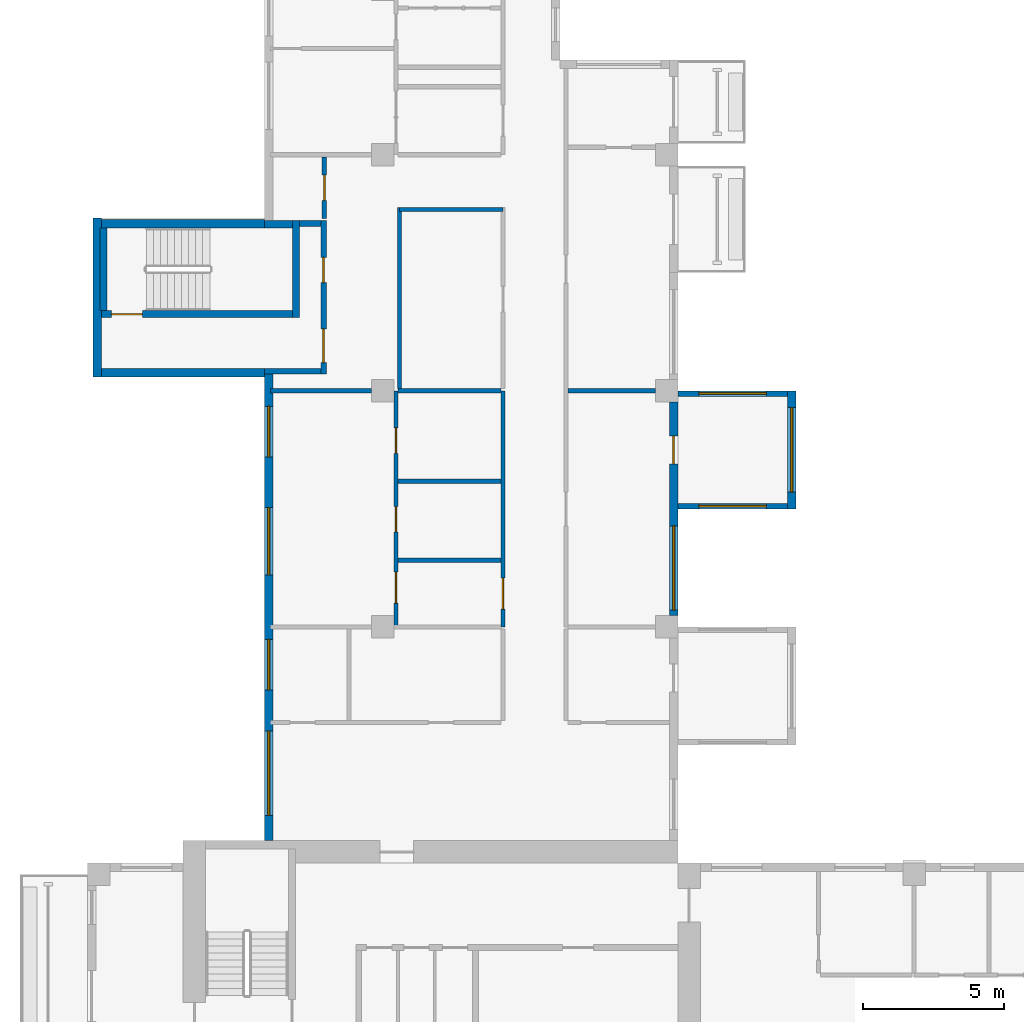
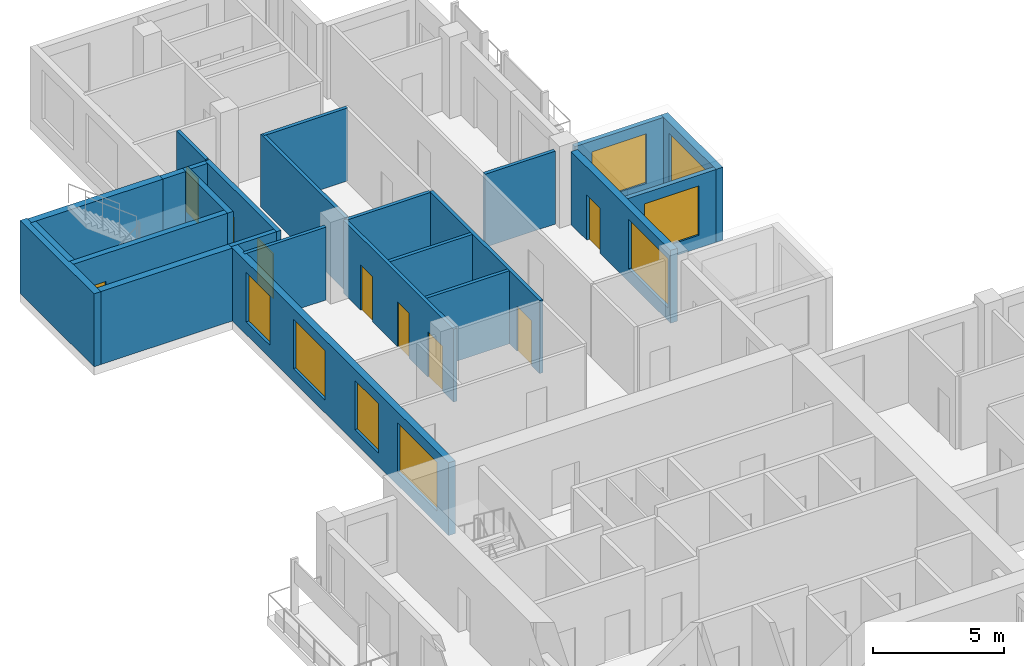
# One storey, part 6 of 11: 25 walls, 9 doors, 8 windows, 17 openings.
"""IFC4 building model written with IfcOpenShell, lengths in metres."""

from ifc_helpers import new_model, si_unit, direction, frame, frame_2d, origin, place, context, subcontext, project, spatial, rectangle, extrude, source, transform, mapped, material, layer, layer_set, type_object, element, fill, save


model = new_model("IFC4")

# Units and contexts
model_context = context("Model", 3, precision=1e-05, world=origin(), true_north=direction((0.0, 1.0)))
body_context = subcontext(model_context, "Body", "Model", "MODEL_VIEW")
ifc_project = project(units=[si_unit("LENGTHUNIT", "METRE"), si_unit("AREAUNIT", "SQUARE_METRE"), si_unit("VOLUMEUNIT", "CUBIC_METRE"), si_unit("PLANEANGLEUNIT", "RADIAN"), si_unit("MASSUNIT", "GRAM", prefix="KILO")], contexts=[model_context])

# Site, building, storey
site_placement = place(None, origin())
site = spatial("IfcSite", under=ifc_project, at=site_placement, CompositionType="ELEMENT")
building_placement = place(site_placement, origin())
building = spatial("IfcBuilding", under=site, at=building_placement, Name="Aurelian Terraces", CompositionType="ELEMENT")
storey_placement = place(building_placement, frame((0.0, 0.0, 261.4)))
storey = spatial("IfcBuildingStorey", under=building, at=storey_placement, Name="L60", CompositionType="ELEMENT", Elevation=261.4)

# Walls
ifc_material_1 = material(Name="Concrete fc' 40 MPa", Category="concrete")
ifc_layer_1 = layer(ifc_material_1, 0.3)
ifc_layer_set_1 = layer_set([ifc_layer_1], Name="STAIR BAY WALL 300")
wall_type_1 = type_object("IfcWallType", Name="STAIR BAY WALL 300", PredefinedType="SOLIDWALL", material=ifc_layer_set_1)
shared_shape_1 = source(origin(), body_context, "Body", "SweptSolid", [
    extrude(rectangle(XDim=6.1, YDim=0.3, at=frame_2d((3.05, 0.0))), origin(), (0.0, 0.0, 1.0), 3.4),
])
for number, where, z_axis, x_axis, name in (
    (1, (6.3, 43.75, 0.0), (0.0, 0.0, 1.0), (-1.0, 0.0, 0.0), "Stair bay wall L60 F17.30"),
    (2, (0.2, 38.45, 0.0), (0.0, 0.0, 1.0), (1.0, 0.0, 0.0), "Stair bay wall L60 F19.32"),
):
    element("IfcWall", number, at=place(storey_placement, frame(where, z_axis=z_axis, x_axis=x_axis)), inside=storey, type_object=wall_type_1, Name=name, PredefinedType="SOLIDWALL", context=body_context, shape_type="MappedRepresentation", body=[
        mapped(shared_shape_1, transform((0.0, 0.0, 0.0), scale=1.0)),
    ])

# Wall, opening, window
ifc_layer_2 = layer(ifc_material_1, 0.2)
ifc_layer_set_2 = layer_set([ifc_layer_2], Name="BOX BEARING WALL 200")
wall_type_2 = type_object("IfcWallType", Name="BOX BEARING WALL 200", PredefinedType="SOLIDWALL", material=ifc_layer_set_2)
shared_shape_2 = source(origin(), body_context, "Body", "SweptSolid", [
    extrude(rectangle(XDim=3.9, YDim=0.2, at=frame_2d((1.95, 0.0))), origin(), (0.0, 0.0, 1.0), 3.4),
])
wall_1_placement = place(storey_placement, frame((21.0, 33.7, 0.0), z_axis=(0.0, 0.0, 1.0), x_axis=(1.0, 0.0, 0.0)))
wall_1 = element("IfcWall", 3, at=wall_1_placement, inside=storey, type_object=wall_type_2, Name="Box return L60 J87.1", PredefinedType="SOLIDWALL", context=body_context, shape_type="MappedRepresentation", body=[
    mapped(shared_shape_2, transform((0.0, 0.0, 0.0), scale=1.0)),
])
shared_shape_3 = source(origin(), body_context, "Body", "SweptSolid", [
    extrude(rectangle(XDim=2.4, YDim=2.3, at=frame_2d((1.2, 1.15))), frame((0.0, 0.11, 0.0), z_axis=(0.0, -1.0, 0.0), x_axis=(1.0, 0.0, 0.0)), (0.0, 0.0, 1.0), 0.22),
])
opening_1_placement = place(wall_1_placement, frame((0.75, 0.0, 0.6)))
opening_1 = element("IfcOpeningElement", 4, at=opening_1_placement, cuts=wall_1, Name="Opening W2423", PredefinedType="OPENING", context=body_context, shape_type="MappedRepresentation", body=[
    mapped(shared_shape_3, transform((0.0, 0.0, 0.0), scale=1.0)),
])
ifc_material_2 = material(Name="Clear glazing", Category="glass")
window_type_1 = type_object("IfcWindowType", Name="W-2400x2300", PartitioningType="SINGLE_PANEL", PredefinedType="WINDOW", material=ifc_material_2)
shared_shape_4 = source(origin(), body_context, "Body", "SweptSolid", [
    extrude(rectangle(XDim=2.4, YDim=2.3, at=frame_2d((1.2, 1.15))), frame((0.0, 0.03, 0.0), z_axis=(0.0, -1.0, 0.0), x_axis=(1.0, 0.0, 0.0)), (0.0, 0.0, 1.0), 0.06),
])
window_1_placement = place(opening_1_placement, origin())
window_1 = element("IfcWindow", 5, at=window_1_placement, inside=storey, type_object=window_type_1, Name="Window L60 J87-S1", OverallHeight=2.3, OverallWidth=2.4, PartitioningType="SINGLE_PANEL", PredefinedType="WINDOW", context=body_context, shape_type="MappedRepresentation", body=[
    mapped(shared_shape_4, transform((0.0, 0.0, 0.0), scale=1.0)),
])
fill(opening_1, window_1)

wall_2_placement = place(storey_placement, frame((21.0, 37.7, 0.0), z_axis=(0.0, 0.0, 1.0), x_axis=(1.0, 0.0, 0.0)))
wall_2 = element("IfcWall", 6, at=wall_2_placement, inside=storey, type_object=wall_type_2, Name="Box return L60 J87.2", PredefinedType="SOLIDWALL", context=body_context, shape_type="MappedRepresentation", body=[
    mapped(shared_shape_2, transform((0.0, 0.0, 0.0), scale=1.0)),
])
opening_2_placement = place(wall_2_placement, frame((0.75, 0.0, 0.6)))
opening_2 = element("IfcOpeningElement", 7, at=opening_2_placement, cuts=wall_2, Name="Opening W2423", PredefinedType="OPENING", context=body_context, shape_type="MappedRepresentation", body=[
    mapped(shared_shape_3, transform((0.0, 0.0, 0.0), scale=1.0)),
])
window_2_placement = place(opening_2_placement, origin())
window_2 = element("IfcWindow", 8, at=window_2_placement, inside=storey, type_object=window_type_1, Name="Window L60 J87-S2", OverallHeight=2.3, OverallWidth=2.4, PartitioningType="SINGLE_PANEL", PredefinedType="WINDOW", context=body_context, shape_type="MappedRepresentation", body=[
    mapped(shared_shape_4, transform((0.0, 0.0, 0.0), scale=1.0)),
])
fill(opening_2, window_2)

ifc_layer_3 = layer(ifc_material_1, 0.3)
ifc_layer_set_3 = layer_set([ifc_layer_3], Name="BOX BEARING WALL 300")
wall_type_3 = type_object("IfcWallType", Name="BOX BEARING WALL 300", PredefinedType="SOLIDWALL", material=ifc_layer_set_3)
shared_shape_5 = source(origin(), body_context, "Body", "SweptSolid", [
    extrude(rectangle(XDim=4.2, YDim=0.3, at=frame_2d((2.1, 0.0))), origin(), (0.0, 0.0, 1.0), 3.4),
])
wall_3_placement = place(storey_placement, frame((25.05, 33.6, 0.0), z_axis=(0.0, 0.0, 1.0), x_axis=(0.0, 1.0, 0.0)))
wall_3 = element("IfcWall", 9, at=wall_3_placement, inside=storey, type_object=wall_type_3, Name="Box wall L60 J87", PredefinedType="SOLIDWALL", context=body_context, shape_type="MappedRepresentation", body=[
    mapped(shared_shape_5, transform((0.0, 0.0, 0.0), scale=1.0)),
])
shared_shape_6 = source(origin(), body_context, "Body", "SweptSolid", [
    extrude(rectangle(XDim=3.0, YDim=2.3, at=frame_2d((1.5, 1.15))), frame((0.0, 0.16, 0.0), z_axis=(0.0, -1.0, 0.0), x_axis=(1.0, 0.0, 0.0)), (0.0, 0.0, 1.0), 0.32),
])
opening_3_placement = place(wall_3_placement, frame((0.6, 0.0, 0.6)))
opening_3 = element("IfcOpeningElement", 10, at=opening_3_placement, cuts=wall_3, Name="Opening W3023", PredefinedType="OPENING", context=body_context, shape_type="MappedRepresentation", body=[
    mapped(shared_shape_6, transform((0.0, 0.0, 0.0), scale=1.0)),
])
window_type_2 = type_object("IfcWindowType", Name="W-3000x2300", PartitioningType="SINGLE_PANEL", PredefinedType="WINDOW", material=ifc_material_2)
shared_shape_7 = source(origin(), body_context, "Body", "SweptSolid", [
    extrude(rectangle(XDim=3.0, YDim=2.3, at=frame_2d((1.5, 1.15))), frame((0.0, 0.03, 0.0), z_axis=(0.0, -1.0, 0.0), x_axis=(1.0, 0.0, 0.0)), (0.0, 0.0, 1.0), 0.06),
])
window_3_placement = place(opening_3_placement, origin())
window_3 = element("IfcWindow", 11, at=window_3_placement, inside=storey, type_object=window_type_2, Name="Window L60 J87-F1", OverallHeight=2.3, OverallWidth=3.0, PartitioningType="SINGLE_PANEL", PredefinedType="WINDOW", context=body_context, shape_type="MappedRepresentation", body=[
    mapped(shared_shape_7, transform((0.0, 0.0, 0.0), scale=1.0)),
])
fill(opening_3, window_3)

# Wall
shared_shape_8 = source(origin(), body_context, "Body", "SweptSolid", [
    extrude(rectangle(XDim=5.65, YDim=0.3, at=frame_2d((2.825, 0.0))), origin(), (0.0, 0.0, 1.0), 3.4),
])
wall_4_placement = place(storey_placement, frame((0.35, 43.95, 0.0), z_axis=(0.0, 0.0, 1.0), x_axis=(0.0, -1.0, 0.0)))
element("IfcWall", 12, at=wall_4_placement, inside=storey, type_object=wall_type_1, Name="Stair bay wall L60 F18.31", PredefinedType="SOLIDWALL", context=body_context, shape_type="MappedRepresentation", body=[
    mapped(shared_shape_8, transform((0.0, 0.0, 0.0), scale=1.0)),
])

# Wall, openings, windows
ifc_material_3 = material(Name="Terracotta rainscreen cladding", Category="masonry")
ifc_layer_4 = layer(ifc_material_3, 0.3)
ifc_layer_set_4 = layer_set([ifc_layer_4], Name="EW-300")
wall_type_4 = type_object("IfcWallType", Name="EW-300", PredefinedType="STANDARD", material=ifc_layer_set_4)
shared_shape_9 = source(origin(), body_context, "Body", "SweptSolid", [
    extrude(rectangle(XDim=16.6, YDim=0.3, at=frame_2d((8.3, 0.0))), origin(), (0.0, 0.0, 1.0), 3.4),
])
wall_5_placement = place(storey_placement, frame((6.45, 38.4, 0.0), z_axis=(0.0, 0.0, 1.0), x_axis=(0.0, -1.0, 0.0)))
wall_5 = element("IfcWall", 13, at=wall_5_placement, inside=storey, type_object=wall_type_4, Name="External wall L60 F20.33", PredefinedType="STANDARD", context=body_context, shape_type="MappedRepresentation", body=[
    mapped(shared_shape_9, transform((0.0, 0.0, 0.0), scale=1.0)),
])
shared_shape_10 = source(origin(), body_context, "Body", "SweptSolid", [
    extrude(rectangle(XDim=1.8, YDim=2.3, at=frame_2d((0.9, 1.15))), frame((0.0, 0.16, 0.0), z_axis=(0.0, -1.0, 0.0), x_axis=(1.0, 0.0, 0.0)), (0.0, 0.0, 1.0), 0.32),
])
opening_4_placement = place(wall_5_placement, frame((1.15, 0.0, 0.6)))
opening_4 = element("IfcOpeningElement", 14, at=opening_4_placement, cuts=wall_5, Name="Opening W1823", PredefinedType="OPENING", context=body_context, shape_type="MappedRepresentation", body=[
    mapped(shared_shape_10, transform((0.0, 0.0, 0.0), scale=1.0)),
])
shared_shape_11 = source(origin(), body_context, "Body", "SweptSolid", [
    extrude(rectangle(XDim=2.4, YDim=2.3, at=frame_2d((1.2, 1.15))), frame((0.0, 0.16, 0.0), z_axis=(0.0, -1.0, 0.0), x_axis=(1.0, 0.0, 0.0)), (0.0, 0.0, 1.0), 0.32),
])
opening_5_placement = place(wall_5_placement, frame((4.75, 0.0, 0.6)))
opening_5 = element("IfcOpeningElement", 15, at=opening_5_placement, cuts=wall_5, Name="Opening W2423", PredefinedType="OPENING", context=body_context, shape_type="MappedRepresentation", body=[
    mapped(shared_shape_11, transform((0.0, 0.0, 0.0), scale=1.0)),
])
opening_6_placement = place(wall_5_placement, frame((9.4375, 0.0, 0.6)))
opening_6 = element("IfcOpeningElement", 16, at=opening_6_placement, cuts=wall_5, Name="Opening W1823", PredefinedType="OPENING", context=body_context, shape_type="MappedRepresentation", body=[
    mapped(shared_shape_10, transform((0.0, 0.0, 0.0), scale=1.0)),
])
opening_7_placement = place(wall_5_placement, frame((12.7, 0.0, 0.6)))
opening_7 = element("IfcOpeningElement", 17, at=opening_7_placement, cuts=wall_5, Name="Opening W3023", PredefinedType="OPENING", context=body_context, shape_type="MappedRepresentation", body=[
    mapped(shared_shape_6, transform((0.0, 0.0, 0.0), scale=1.0)),
])
window_4_placement = place(opening_7_placement, origin())
window_4 = element("IfcWindow", 18, at=window_4_placement, inside=storey, type_object=window_type_2, Name="Window L60 L60-F20-33-3", OverallHeight=2.3, OverallWidth=3.0, PartitioningType="SINGLE_PANEL", PredefinedType="WINDOW", context=body_context, shape_type="MappedRepresentation", body=[
    mapped(shared_shape_7, transform((0.0, 0.0, 0.0), scale=1.0)),
])
fill(opening_7, window_4)
window_type_3 = type_object("IfcWindowType", Name="W-1800x2300", PartitioningType="SINGLE_PANEL", PredefinedType="WINDOW", material=ifc_material_2)
shared_shape_12 = source(origin(), body_context, "Body", "SweptSolid", [
    extrude(rectangle(XDim=1.8, YDim=2.3, at=frame_2d((0.9, 1.15))), frame((0.0, 0.03, 0.0), z_axis=(0.0, -1.0, 0.0), x_axis=(1.0, 0.0, 0.0)), (0.0, 0.0, 1.0), 0.06),
])
window_5_placement = place(opening_4_placement, origin())
window_5 = element("IfcWindow", 19, at=window_5_placement, inside=storey, type_object=window_type_3, Name="Window L60 L60-F20-33-0", OverallHeight=2.3, OverallWidth=1.8, PartitioningType="SINGLE_PANEL", PredefinedType="WINDOW", context=body_context, shape_type="MappedRepresentation", body=[
    mapped(shared_shape_12, transform((0.0, 0.0, 0.0), scale=1.0)),
])
fill(opening_4, window_5)
window_6_placement = place(opening_6_placement, origin())
window_6 = element("IfcWindow", 20, at=window_6_placement, inside=storey, type_object=window_type_3, Name="Window L60 L60-F20-33-2", OverallHeight=2.3, OverallWidth=1.8, PartitioningType="SINGLE_PANEL", PredefinedType="WINDOW", context=body_context, shape_type="MappedRepresentation", body=[
    mapped(shared_shape_12, transform((0.0, 0.0, 0.0), scale=1.0)),
])
fill(opening_6, window_6)
window_7_placement = place(opening_5_placement, origin())
window_7 = element("IfcWindow", 21, at=window_7_placement, inside=storey, type_object=window_type_1, Name="Window L60 L60-F20-33-1", OverallHeight=2.3, OverallWidth=2.4, PartitioningType="SINGLE_PANEL", PredefinedType="WINDOW", context=body_context, shape_type="MappedRepresentation", body=[
    mapped(shared_shape_4, transform((0.0, 0.0, 0.0), scale=1.0)),
])
fill(opening_5, window_7)

# Wall, openings, window, door
shared_shape_13 = source(origin(), body_context, "Body", "SweptSolid", [
    extrude(rectangle(XDim=7.6, YDim=0.3, at=frame_2d((3.8, 0.0))), origin(), (0.0, 0.0, 1.0), 3.4),
])
wall_6_placement = place(storey_placement, frame((20.85, 29.8, 0.0), z_axis=(0.0, 0.0, 1.0), x_axis=(0.0, 1.0, 0.0)))
wall_6 = element("IfcWall", 22, at=wall_6_placement, inside=storey, type_object=wall_type_4, Name="External wall L60 F12.21", PredefinedType="STANDARD", context=body_context, shape_type="MappedRepresentation", body=[
    mapped(shared_shape_13, transform((0.0, 0.0, 0.0), scale=1.0)),
])
opening_8_placement = place(wall_6_placement, frame((0.2, 0.0, 0.6)))
opening_8 = element("IfcOpeningElement", 23, at=opening_8_placement, cuts=wall_6, Name="Opening W3023", PredefinedType="OPENING", context=body_context, shape_type="MappedRepresentation", body=[
    mapped(shared_shape_6, transform((0.0, 0.0, 0.0), scale=1.0)),
])
shared_shape_14 = source(origin(), body_context, "Body", "SweptSolid", [
    extrude(rectangle(XDim=1.0, YDim=2.1, at=frame_2d((0.5, 1.05))), frame((0.0, 0.16, 0.0), z_axis=(0.0, -1.0, 0.0), x_axis=(1.0, 0.0, 0.0)), (0.0, 0.0, 1.0), 0.32),
])
opening_9_placement = place(wall_6_placement, frame((5.4, 0.0, 0.0)))
opening_9 = element("IfcOpeningElement", 24, at=opening_9_placement, cuts=wall_6, Name="Opening 860002", PredefinedType="OPENING", context=body_context, shape_type="MappedRepresentation", body=[
    mapped(shared_shape_14, transform((0.0, 0.0, 0.0), scale=1.0)),
])
window_8_placement = place(opening_8_placement, origin())
window_8 = element("IfcWindow", 25, at=window_8_placement, inside=storey, type_object=window_type_2, Name="Window L60 L60-F12-21-0", OverallHeight=2.3, OverallWidth=3.0, PartitioningType="SINGLE_PANEL", PredefinedType="WINDOW", context=body_context, shape_type="MappedRepresentation", body=[
    mapped(shared_shape_7, transform((0.0, 0.0, 0.0), scale=1.0)),
])
fill(opening_8, window_8)
ifc_material_4 = material(Name="Timber door leaf", Category="wood")
door_type_1 = type_object("IfcDoorType", Name="Room door 1000x2100 left", OperationType="SINGLE_SWING_LEFT", PredefinedType="DOOR", material=ifc_material_4)
shared_shape_15 = source(origin(), body_context, "Body", "SweptSolid", [
    extrude(rectangle(XDim=1.0, YDim=2.1, at=frame_2d((0.5, 1.05))), frame((0.0, 0.025, 0.0), z_axis=(0.0, -1.0, 0.0), x_axis=(1.0, 0.0, 0.0)), (0.0, 0.0, 1.0), 0.05),
])
door_1_placement = place(opening_9_placement, origin())
door_1 = element("IfcDoor", 26, at=door_1_placement, inside=storey, type_object=door_type_1, Name="Door 860002", OperationType="SINGLE_SWING_LEFT", OverallHeight=2.1, OverallWidth=1.0, PredefinedType="DOOR", context=body_context, shape_type="MappedRepresentation", body=[
    mapped(shared_shape_15, transform((0.0, 0.0, 0.0), scale=1.0)),
])
fill(opening_9, door_1)

# Wall, opening, door
ifc_layer_5 = layer(ifc_material_1, 0.25)
ifc_layer_set_5 = layer_set([ifc_layer_5], Name="Stair enclosure wall 250")
wall_type_5 = type_object("IfcWallType", Name="Stair enclosure wall 250", PredefinedType="SOLIDWALL", material=ifc_layer_set_5)
shared_shape_16 = source(origin(), body_context, "Body", "SweptSolid", [
    extrude(rectangle(XDim=7.0, YDim=0.25, at=frame_2d((3.5, 0.0))), origin(), (0.0, 0.0, 1.0), 3.4),
])
wall_7_placement = place(storey_placement, frame((0.3, 40.525, 0.0), z_axis=(0.0, 0.0, 1.0), x_axis=(1.0, 0.0, 0.0)))
wall_7 = element("IfcWall", 27, at=wall_7_placement, inside=storey, type_object=wall_type_5, Name="L60 core wall ST-S3-W", PredefinedType="SOLIDWALL", context=body_context, shape_type="MappedRepresentation", body=[
    mapped(shared_shape_16, transform((0.0, 0.0, 0.0), scale=1.0)),
])
shared_shape_17 = source(origin(), body_context, "Body", "SweptSolid", [
    extrude(rectangle(XDim=1.1, YDim=2.1, at=frame_2d((0.55, 1.05))), frame((0.0, 0.135, 0.0), z_axis=(0.0, -1.0, 0.0), x_axis=(1.0, 0.0, 0.0)), (0.0, 0.0, 1.0), 0.27),
])
opening_10_placement = place(wall_7_placement, frame((0.55, 0.0, 0.0)))
opening_10 = element("IfcOpeningElement", 28, at=opening_10_placement, cuts=wall_7, Name="Opening 66320", PredefinedType="OPENING", context=body_context, shape_type="MappedRepresentation", body=[
    mapped(shared_shape_17, transform((0.0, 0.0, 0.0), scale=1.0)),
])
ifc_material_5 = material(Name="Steel door leaf", Category="steel")
door_type_2 = type_object("IfcDoorType", Name="Core fire door 1100x2100 right", OperationType="SINGLE_SWING_RIGHT", PredefinedType="DOOR", material=ifc_material_5)
shared_shape_18 = source(origin(), body_context, "Body", "SweptSolid", [
    extrude(rectangle(XDim=1.1, YDim=2.1, at=frame_2d((0.55, 1.05))), frame((0.0, 0.025, 0.0), z_axis=(0.0, -1.0, 0.0), x_axis=(1.0, 0.0, 0.0)), (0.0, 0.0, 1.0), 0.05),
])
door_2_placement = place(opening_10_placement, origin())
door_2 = element("IfcDoor", 29, at=door_2_placement, inside=storey, type_object=door_type_2, Name="Stair door 66320", OperationType="SINGLE_SWING_RIGHT", OverallHeight=2.1, OverallWidth=1.1, PredefinedType="DOOR", context=body_context, shape_type="MappedRepresentation", body=[
    mapped(shared_shape_18, transform((0.0, 0.0, 0.0), scale=1.0)),
])
fill(opening_10, door_2)

# Walls
shared_shape_19 = source(origin(), body_context, "Body", "SweptSolid", [
    extrude(rectangle(XDim=3.45, YDim=0.25, at=frame_2d((1.725, 0.0))), origin(), (0.0, 0.0, 1.0), 3.4),
])
wall_8_placement = place(storey_placement, frame((7.425, 40.4, 0.0), z_axis=(0.0, 0.0, 1.0), x_axis=(0.0, 1.0, 0.0)))
element("IfcWall", 30, at=wall_8_placement, inside=storey, type_object=wall_type_5, Name="L60 core wall ST-S3-N", PredefinedType="SOLIDWALL", context=body_context, shape_type="MappedRepresentation", body=[
    mapped(shared_shape_19, transform((0.0, 0.0, 0.0), scale=1.0)),
])
shared_shape_20 = source(origin(), body_context, "Body", "SweptSolid", [
    extrude(rectangle(XDim=2.95, YDim=0.25, at=frame_2d((1.475, 0.0))), origin(), (0.0, 0.0, 1.0), 3.4),
])
wall_9_placement = place(storey_placement, frame((0.575, 40.65, 0.0), z_axis=(0.0, 0.0, 1.0), x_axis=(0.0, 1.0, 0.0)))
element("IfcWall", 31, at=wall_9_placement, inside=storey, type_object=wall_type_5, Name="L60 core wall ST-S3-SS", PredefinedType="SOLIDWALL", context=body_context, shape_type="MappedRepresentation", body=[
    mapped(shared_shape_20, transform((0.0, 0.0, 0.0), scale=1.0)),
])

# Wall, openings, doors
ifc_material_6 = material(Name="Gypsum board on steel studs", Category="steel")
ifc_layer_6 = layer(ifc_material_6, 0.2)
ifc_layer_set_6 = layer_set([ifc_layer_6], Name="Core partition 200")
wall_type_6 = type_object("IfcWallType", Name="Core partition 200", PredefinedType="PARTITIONING", material=ifc_layer_set_6)
shared_shape_21 = source(origin(), body_context, "Body", "SweptSolid", [
    extrude(rectangle(XDim=5.45, YDim=0.2, at=frame_2d((2.725, 0.0))), origin(), (0.0, 0.0, 1.0), 3.4),
])
wall_10_placement = place(storey_placement, frame((8.4, 38.4, 0.0), z_axis=(0.0, 0.0, 1.0), x_axis=(0.0, 1.0, 0.0)))
wall_10 = element("IfcWall", 32, at=wall_10_placement, inside=storey, type_object=wall_type_6, Name="L60 core wall ST-S3-BN", PredefinedType="PARTITIONING", context=body_context, shape_type="MappedRepresentation", body=[
    mapped(shared_shape_21, transform((0.0, 0.0, 0.0), scale=1.0)),
])
shared_shape_22 = source(origin(), body_context, "Body", "SweptSolid", [
    extrude(rectangle(XDim=1.2, YDim=2.1, at=frame_2d((0.6, 1.05))), frame((0.0, 0.11, 0.0), z_axis=(0.0, -1.0, 0.0), x_axis=(1.0, 0.0, 0.0)), (0.0, 0.0, 1.0), 0.22),
])
opening_11_placement = place(wall_10_placement, frame((0.4, 0.0, 0.0)))
opening_11 = element("IfcOpeningElement", 33, at=opening_11_placement, cuts=wall_10, Name="Opening 66321", PredefinedType="OPENING", context=body_context, shape_type="MappedRepresentation", body=[
    mapped(shared_shape_22, transform((0.0, 0.0, 0.0), scale=1.0)),
])
shared_shape_23 = source(origin(), body_context, "Body", "SweptSolid", [
    extrude(rectangle(XDim=0.9, YDim=2.1, at=frame_2d((0.45, 1.05))), frame((0.0, 0.11, 0.0), z_axis=(0.0, -1.0, 0.0), x_axis=(1.0, 0.0, 0.0)), (0.0, 0.0, 1.0), 0.22),
])
opening_12_placement = place(wall_10_placement, frame((3.25, 0.0, 0.0)))
opening_12 = element("IfcOpeningElement", 34, at=opening_12_placement, cuts=wall_10, Name="Opening 66322", PredefinedType="OPENING", context=body_context, shape_type="MappedRepresentation", body=[
    mapped(shared_shape_23, transform((0.0, 0.0, 0.0), scale=1.0)),
])
door_type_3 = type_object("IfcDoorType", Name="Core riser door 900x2100 right", OperationType="SINGLE_SWING_RIGHT", PredefinedType="DOOR", material=ifc_material_5)
shared_shape_24 = source(origin(), body_context, "Body", "SweptSolid", [
    extrude(rectangle(XDim=0.9, YDim=2.1, at=frame_2d((0.45, 1.05))), frame((0.0, 0.025, 0.0), z_axis=(0.0, -1.0, 0.0), x_axis=(1.0, 0.0, 0.0)), (0.0, 0.0, 1.0), 0.05),
])
door_3_placement = place(opening_12_placement, origin())
door_3 = element("IfcDoor", 35, at=door_3_placement, inside=storey, type_object=door_type_3, Name="Riser door 66322", OperationType="SINGLE_SWING_RIGHT", OverallHeight=2.1, OverallWidth=0.9, PredefinedType="DOOR", context=body_context, shape_type="MappedRepresentation", body=[
    mapped(shared_shape_24, transform((0.0, 0.0, 0.0), scale=1.0)),
])
fill(opening_12, door_3)
door_type_4 = type_object("IfcDoorType", Name="Core fire door 1200x2100", OperationType="SINGLE_SWING_LEFT", PredefinedType="DOOR", material=ifc_material_5)
shared_shape_25 = source(origin(), body_context, "Body", "SweptSolid", [
    extrude(rectangle(XDim=1.2, YDim=2.1, at=frame_2d((0.6, 1.05))), frame((0.0, 0.025, 0.0), z_axis=(0.0, -1.0, 0.0), x_axis=(1.0, 0.0, 0.0)), (0.0, 0.0, 1.0), 0.05),
])
door_4_placement = place(opening_11_placement, origin())
door_4 = element("IfcDoor", 36, at=door_4_placement, inside=storey, type_object=door_type_4, Name="Vestibule door 66321", OperationType="SINGLE_SWING_LEFT", OverallHeight=2.1, OverallWidth=1.2, PredefinedType="DOOR", context=body_context, shape_type="MappedRepresentation", body=[
    mapped(shared_shape_25, transform((0.0, 0.0, 0.0), scale=1.0)),
])
fill(opening_11, door_4)

# Walls
shared_shape_26 = source(origin(), body_context, "Body", "SweptSolid", [
    extrude(rectangle(XDim=0.75, YDim=0.2, at=frame_2d((0.375, 0.0))), origin(), (0.0, 0.0, 1.0), 3.4),
])
wall_11_placement = place(storey_placement, frame((7.55, 43.75, 0.0), z_axis=(0.0, 0.0, 1.0), x_axis=(1.0, 0.0, 0.0)))
element("IfcWall", 37, at=wall_11_placement, inside=storey, type_object=wall_type_6, Name="L60 core wall ST-S3-RE", PredefinedType="PARTITIONING", context=body_context, shape_type="MappedRepresentation", body=[
    mapped(shared_shape_26, transform((0.0, 0.0, 0.0), scale=1.0)),
])
shared_shape_27 = source(origin(), body_context, "Body", "SweptSolid", [
    extrude(rectangle(XDim=1.0, YDim=0.25, at=frame_2d((0.5, 0.0))), origin(), (0.0, 0.0, 1.0), 3.4),
])
wall_12_placement = place(storey_placement, frame((6.3, 43.725, 0.0), z_axis=(0.0, 0.0, 1.0), x_axis=(1.0, 0.0, 0.0)))
element("IfcWall", 38, at=wall_12_placement, inside=storey, type_object=wall_type_5, Name="L60 core wall ST-S3-E", PredefinedType="SOLIDWALL", context=body_context, shape_type="MappedRepresentation", body=[
    mapped(shared_shape_27, transform((0.0, 0.0, 0.0), scale=1.0)),
])
shared_shape_28 = source(origin(), body_context, "Body", "SweptSolid", [
    extrude(rectangle(XDim=2.0, YDim=0.2, at=frame_2d((1.0, 0.0))), origin(), (0.0, 0.0, 1.0), 3.4),
])
wall_13_placement = place(storey_placement, frame((6.3, 38.5, 0.0), z_axis=(0.0, 0.0, 1.0), x_axis=(1.0, 0.0, 0.0)))
element("IfcWall", 39, at=wall_13_placement, inside=storey, type_object=wall_type_6, Name="L60 core wall ST-S3-VW", PredefinedType="PARTITIONING", context=body_context, shape_type="MappedRepresentation", body=[
    mapped(shared_shape_28, transform((0.0, 0.0, 0.0), scale=1.0)),
])
ifc_layer_7 = layer(ifc_material_6, 0.15)
ifc_layer_set_7 = layer_set([ifc_layer_7], Name="Partition 150")
wall_type_7 = type_object("IfcWallType", Name="Partition 150", PredefinedType="PARTITIONING", material=ifc_layer_set_7)
shared_shape_29 = source(origin(), body_context, "Body", "SweptSolid", [
    extrude(rectangle(XDim=6.45, YDim=0.15, at=frame_2d((3.225, 0.0))), origin(), (0.0, 0.0, 1.0), 3.4),
])
wall_14_placement = place(storey_placement, frame((11.1, 44.325, 0.0), z_axis=(0.0, 0.0, 1.0), x_axis=(0.0, -1.0, 0.0)))
element("IfcWall", 40, at=wall_14_placement, inside=storey, type_object=wall_type_7, Name="Partition", PredefinedType="PARTITIONING", context=body_context, shape_type="MappedRepresentation", body=[
    mapped(shared_shape_29, transform((0.0, 0.0, 0.0), scale=1.0)),
])

# Wall, openings, doors
shared_shape_30 = source(origin(), body_context, "Body", "SweptSolid", [
    extrude(rectangle(XDim=8.4, YDim=0.15, at=frame_2d((4.2, 0.0))), origin(), (0.0, 0.0, 1.0), 3.4),
])
wall_15_placement = place(storey_placement, frame((10.975, 29.4, 0.0), z_axis=(0.0, 0.0, 1.0), x_axis=(0.0, 1.0, 0.0)))
wall_15 = element("IfcWall", 41, at=wall_15_placement, inside=storey, type_object=wall_type_7, Name="Partition", PredefinedType="PARTITIONING", context=body_context, shape_type="MappedRepresentation", body=[
    mapped(shared_shape_30, transform((0.0, 0.0, 0.0), scale=1.0)),
])
shared_shape_31 = source(origin(), body_context, "Body", "SweptSolid", [
    extrude(rectangle(XDim=1.1, YDim=2.1, at=frame_2d((0.55, 1.05))), frame((0.0, 0.085, 0.0), z_axis=(0.0, -1.0, 0.0), x_axis=(1.0, 0.0, 0.0)), (0.0, 0.0, 1.0), 0.17),
])
opening_13_placement = place(wall_15_placement, frame((0.851, 0.0, 0.0)))
opening_13 = element("IfcOpeningElement", 42, at=opening_13_placement, cuts=wall_15, Name="Opening 760022", PredefinedType="OPENING", context=body_context, shape_type="MappedRepresentation", body=[
    mapped(shared_shape_31, transform((0.0, 0.0, 0.0), scale=1.0)),
])
shared_shape_32 = source(origin(), body_context, "Body", "SweptSolid", [
    extrude(rectangle(XDim=0.9, YDim=2.1, at=frame_2d((0.45, 1.05))), frame((0.0, 0.085, 0.0), z_axis=(0.0, -1.0, 0.0), x_axis=(1.0, 0.0, 0.0)), (0.0, 0.0, 1.0), 0.17),
])
opening_14_placement = place(wall_15_placement, frame((3.3799, 0.0, 0.0)))
opening_14 = element("IfcOpeningElement", 43, at=opening_14_placement, cuts=wall_15, Name="Opening 760023", PredefinedType="OPENING", context=body_context, shape_type="MappedRepresentation", body=[
    mapped(shared_shape_32, transform((0.0, 0.0, 0.0), scale=1.0)),
])
opening_15_placement = place(wall_15_placement, frame((6.1788, 0.0, 0.0)))
opening_15 = element("IfcOpeningElement", 44, at=opening_15_placement, cuts=wall_15, Name="Opening 760024", PredefinedType="OPENING", context=body_context, shape_type="MappedRepresentation", body=[
    mapped(shared_shape_32, transform((0.0, 0.0, 0.0), scale=1.0)),
])
door_type_5 = type_object("IfcDoorType", Name="Room door 900x2100 right", OperationType="SINGLE_SWING_RIGHT", PredefinedType="DOOR", material=ifc_material_4)
door_5_placement = place(opening_14_placement, origin())
door_5 = element("IfcDoor", 45, at=door_5_placement, inside=storey, type_object=door_type_5, Name="Door 760023", OperationType="SINGLE_SWING_RIGHT", OverallHeight=2.1, OverallWidth=0.9, PredefinedType="DOOR", context=body_context, shape_type="MappedRepresentation", body=[
    mapped(shared_shape_24, transform((0.0, 0.0, 0.0), scale=1.0)),
])
fill(opening_14, door_5)
door_type_6 = type_object("IfcDoorType", Name="Room door 900x2100 left", OperationType="SINGLE_SWING_LEFT", PredefinedType="DOOR", material=ifc_material_4)
door_6_placement = place(opening_15_placement, origin())
door_6 = element("IfcDoor", 46, at=door_6_placement, inside=storey, type_object=door_type_6, Name="Door 760024", OperationType="SINGLE_SWING_LEFT", OverallHeight=2.1, OverallWidth=0.9, PredefinedType="DOOR", context=body_context, shape_type="MappedRepresentation", body=[
    mapped(shared_shape_24, transform((0.0, 0.0, 0.0), scale=1.0)),
])
fill(opening_15, door_6)
door_type_7 = type_object("IfcDoorType", Name="Room door 1100x2100 left", OperationType="SINGLE_SWING_LEFT", PredefinedType="DOOR", material=ifc_material_4)
door_7_placement = place(opening_13_placement, origin())
door_7 = element("IfcDoor", 47, at=door_7_placement, inside=storey, type_object=door_type_7, Name="Door 760022", OperationType="SINGLE_SWING_LEFT", OverallHeight=2.1, OverallWidth=1.1, PredefinedType="DOOR", context=body_context, shape_type="MappedRepresentation", body=[
    mapped(shared_shape_18, transform((0.0, 0.0, 0.0), scale=1.0)),
])
fill(opening_13, door_7)

# Wall, opening, door
ifc_layer_8 = layer(ifc_material_6, 0.15)
ifc_layer_set_8 = layer_set([ifc_layer_8], Name="Fire partition 150")
wall_type_8 = type_object("IfcWallType", Name="Fire partition 150", PredefinedType="PARTITIONING", material=ifc_layer_set_8)
wall_16_placement = place(storey_placement, frame((14.775, 29.4, 0.0), z_axis=(0.0, 0.0, 1.0), x_axis=(0.0, 1.0, 0.0)))
wall_16 = element("IfcWall", 48, at=wall_16_placement, inside=storey, type_object=wall_type_8, Name="Corridor wall", PredefinedType="PARTITIONING", context=body_context, shape_type="MappedRepresentation", body=[
    mapped(shared_shape_30, transform((0.0, 0.0, 0.0), scale=1.0)),
])
opening_16_placement = place(wall_16_placement, frame((0.6385, 0.0, 0.0)))
opening_16 = element("IfcOpeningElement", 49, at=opening_16_placement, cuts=wall_16, Name="Opening 760021", PredefinedType="OPENING", context=body_context, shape_type="MappedRepresentation", body=[
    mapped(shared_shape_31, transform((0.0, 0.0, 0.0), scale=1.0)),
])
door_type_8 = type_object("IfcDoorType", Name="Entrance fire door 1100x2100 right", OperationType="SINGLE_SWING_RIGHT", PredefinedType="DOOR", material=ifc_material_5)
door_8_placement = place(opening_16_placement, origin())
door_8 = element("IfcDoor", 50, at=door_8_placement, inside=storey, type_object=door_type_8, Name="Door 760021", OperationType="SINGLE_SWING_RIGHT", OverallHeight=2.1, OverallWidth=1.1, PredefinedType="DOOR", context=body_context, shape_type="MappedRepresentation", body=[
    mapped(shared_shape_18, transform((0.0, 0.0, 0.0), scale=1.0)),
])
fill(opening_16, door_8)

shared_shape_33 = source(origin(), body_context, "Body", "SweptSolid", [
    extrude(rectangle(XDim=2.2, YDim=0.15, at=frame_2d((1.1, 0.0))), origin(), (0.0, 0.0, 1.0), 3.4),
])
wall_17_placement = place(storey_placement, frame((8.425, 43.925, 0.0), z_axis=(0.0, 0.0, 1.0), x_axis=(0.0, 1.0, 0.0)))
wall_17 = element("IfcWall", 51, at=wall_17_placement, inside=storey, type_object=wall_type_7, Name="Partition", PredefinedType="PARTITIONING", context=body_context, shape_type="MappedRepresentation", body=[
    mapped(shared_shape_33, transform((0.0, 0.0, 0.0), scale=1.0)),
])
opening_17_placement = place(wall_17_placement, frame((0.65, 0.0, 0.0)))
opening_17 = element("IfcOpeningElement", 52, at=opening_17_placement, cuts=wall_17, Name="Opening 760020", PredefinedType="OPENING", context=body_context, shape_type="MappedRepresentation", body=[
    mapped(shared_shape_32, transform((0.0, 0.0, 0.0), scale=1.0)),
])
door_9_placement = place(opening_17_placement, origin())
door_9 = element("IfcDoor", 53, at=door_9_placement, inside=storey, type_object=door_type_6, Name="Door 760020", OperationType="SINGLE_SWING_LEFT", OverallHeight=2.1, OverallWidth=0.9, PredefinedType="DOOR", context=body_context, shape_type="MappedRepresentation", body=[
    mapped(shared_shape_24, transform((0.0, 0.0, 0.0), scale=1.0)),
])
fill(opening_17, door_9)

# Walls
shared_shape_34 = source(origin(), body_context, "Body", "SweptSolid", [
    extrude(rectangle(XDim=3.101, YDim=0.15, at=frame_2d((1.5505, 0.0))), origin(), (0.0, 0.0, 1.0), 3.4),
])
wall_18_placement = place(storey_placement, frame((20.201, 37.8, 0.0), z_axis=(0.0, 0.0, 1.0), x_axis=(-1.0, 0.0, 0.0)))
element("IfcWall", 54, at=wall_18_placement, inside=storey, type_object=wall_type_8, Name="Party wall", PredefinedType="PARTITIONING", context=body_context, shape_type="MappedRepresentation", body=[
    mapped(shared_shape_34, transform((0.0, 0.0, 0.0), scale=1.0)),
])
shared_shape_35 = source(origin(), body_context, "Body", "SweptSolid", [
    extrude(rectangle(XDim=3.596, YDim=0.15, at=frame_2d((1.798, 0.0))), origin(), (0.0, 0.0, 1.0), 3.4),
])
wall_19_placement = place(storey_placement, frame((10.101, 37.8, 0.0), z_axis=(0.0, 0.0, 1.0), x_axis=(-1.0, 0.0, 0.0)))
element("IfcWall", 55, at=wall_19_placement, inside=storey, type_object=wall_type_8, Name="Party wall", PredefinedType="PARTITIONING", context=body_context, shape_type="MappedRepresentation", body=[
    mapped(shared_shape_35, transform((0.0, 0.0, 0.0), scale=1.0)),
])
shared_shape_36 = source(origin(), body_context, "Body", "SweptSolid", [
    extrude(rectangle(XDim=3.65, YDim=0.15, at=frame_2d((1.825, 0.0))), origin(), (0.0, 0.0, 1.0), 3.4),
])
for number, where, z_axis, x_axis, name in (
    (56, (14.7, 31.7771, 0.0), (0.0, 0.0, 1.0), (-1.0, 0.0, 0.0), "Partition"),
    (57, (14.7, 34.5827, 0.0), (0.0, 0.0, 1.0), (-1.0, 0.0, 0.0), "Partition"),
):
    element("IfcWall", number, at=place(storey_placement, frame(where, z_axis=z_axis, x_axis=x_axis)), inside=storey, type_object=wall_type_7, Name=name, PredefinedType="PARTITIONING", context=body_context, shape_type="MappedRepresentation", body=[
        mapped(shared_shape_36, transform((0.0, 0.0, 0.0), scale=1.0)),
    ])
wall_20_placement = place(storey_placement, frame((14.7, 37.8, 0.0), z_axis=(0.0, 0.0, 1.0), x_axis=(-1.0, 0.0, 0.0)))
element("IfcWall", 58, at=wall_20_placement, inside=storey, type_object=wall_type_8, Name="Party wall", PredefinedType="PARTITIONING", context=body_context, shape_type="MappedRepresentation", body=[
    mapped(shared_shape_36, transform((0.0, 0.0, 0.0), scale=1.0)),
])
shared_shape_37 = source(origin(), body_context, "Body", "SweptSolid", [
    extrude(rectangle(XDim=3.675, YDim=0.15, at=frame_2d((1.8375, 0.0))), origin(), (0.0, 0.0, 1.0), 3.4),
])
wall_21_placement = place(storey_placement, frame((14.775, 44.25, 0.0), z_axis=(0.0, 0.0, 1.0), x_axis=(-1.0, 0.0, 0.0)))
element("IfcWall", 59, at=wall_21_placement, inside=storey, type_object=wall_type_7, Name="Partition", PredefinedType="PARTITIONING", context=body_context, shape_type="MappedRepresentation", body=[
    mapped(shared_shape_37, transform((0.0, 0.0, 0.0), scale=1.0)),
])

save(model, "model.ifc")
